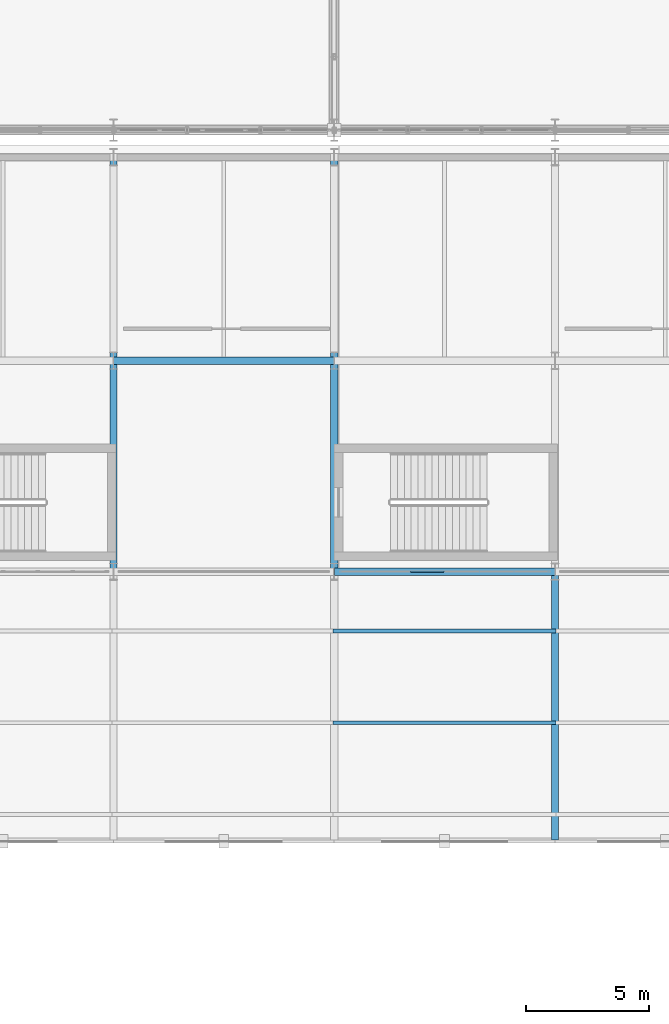
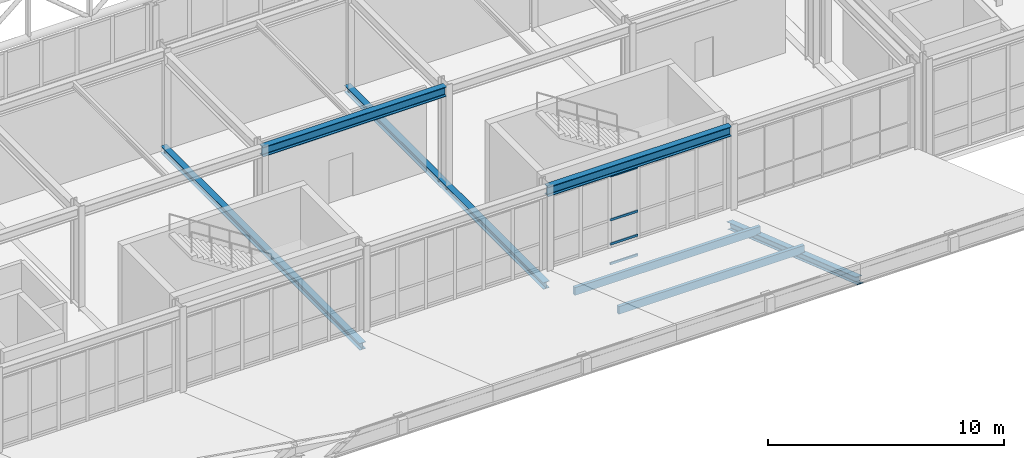
# One storey, part 59 of 239: 9 members, 2 beams, 1 element without a shape of its own.
"""IFC4 building model written with IfcOpenShell, lengths in metres."""

from ifc_helpers import new_model, si_unit, direction, frame, origin, origin_2d, place, context, subcontext, project, spatial, rectangle, hollow_rectangle, i_section, extrude, material, material_profile, profile_set, type_object, element, aggregate, save


model = new_model("IFC4")

# Units and contexts
model_context = context("Model", 3, precision=1e-05, world=origin(), true_north=direction((0.0, 1.0)))
body_context = subcontext(model_context, "Body", "Model", "MODEL_VIEW")
ifc_project = project(units=[si_unit("LENGTHUNIT", "METRE"), si_unit("AREAUNIT", "SQUARE_METRE"), si_unit("VOLUMEUNIT", "CUBIC_METRE"), si_unit("PLANEANGLEUNIT", "RADIAN"), si_unit("MASSUNIT", "GRAM", prefix="KILO")], contexts=[model_context])

# Site, building, storey
site_placement = place(None, origin())
site = spatial("IfcSite", under=ifc_project, at=site_placement, CompositionType="ELEMENT")
building_placement = place(site_placement, origin())
building = spatial("IfcBuilding", under=site, at=building_placement, Name="Kaldris Quays Convention Centre", CompositionType="ELEMENT")
storey_placement = place(building_placement, frame((0.0, 0.0, 11.39990234375)))
storey = spatial("IfcBuildingStorey", under=building, at=storey_placement, Name="L02", CompositionType="ELEMENT", Elevation=11.39990234375)

# Curtain wall, members
ifc_material_1 = material(Name="Anodized aluminium AW-6060 and triple glazing", Category="aluminium")
curtain_wall_type = type_object("IfcCurtainWallType", Name="UNITISED CURTAIN WALL CW04", PredefinedType="NOTDEFINED", material=ifc_material_1)
curtain_wall_placement = place(storey_placement, origin())
curtain_wall = element("IfcCurtainWall", 1, at=curtain_wall_placement, inside=storey, type_object=curtain_wall_type, Name="L02 Unitised Curtain Wall CW04 119", PredefinedType="NOTDEFINED")
ifc_material_2 = material(Name="Anodized aluminium AW-6060", Category="aluminium")
ifc_material_profile_1 = material_profile(ifc_material_2, hollow_rectangle(XDim=0.06005859375, YDim=0.1201171875, WallThickness=0.00390625, at=origin_2d()), Name="RHS 120x60x4")
ifc_profile_set_1 = profile_set([ifc_material_profile_1], Name="Anodized aluminium AW-6060")
member_type_1 = type_object("IfcMemberType", Name="CURTAIN TRANSOM CWT1", PredefinedType="USERDEFINED", material=ifc_profile_set_1)
member_1_placement = place(storey_placement, frame((131.11328125, 38.0, 0.030029296875), z_axis=(1.0, 0.0, 0.0), x_axis=(0.0, 1.0, 0.0)))
member_1 = element("IfcMember", 2, at=member_1_placement, type_object=member_type_1, Name="CW04 transom 3.1", ObjectType="TRANSOM", PredefinedType="USERDEFINED", context=body_context, shape_type="SweptSolid", body=[
    extrude(hollow_rectangle(XDim=0.06005859375, YDim=0.1201171875, WallThickness=0.00390625, at=origin_2d()), origin(), (0.0, 0.0, 1.0), 1.356689453125),
])
member_2_placement = place(storey_placement, frame((131.11328125, 38.0, 1.050048828125), z_axis=(1.0, 0.0, 0.0), x_axis=(0.0, 1.0, 0.0)))
member_2 = element("IfcMember", 3, at=member_2_placement, type_object=member_type_1, Name="CW04 transom 3.2", ObjectType="TRANSOM", PredefinedType="USERDEFINED", context=body_context, shape_type="SweptSolid", body=[
    extrude(hollow_rectangle(XDim=0.06005859375, YDim=0.1201171875, WallThickness=0.00390625, at=origin_2d()), origin(), (0.0, 0.0, 1.0), 1.356689453125),
])
member_3_placement = place(storey_placement, frame((131.11328125, 38.0, 2.300048828125), z_axis=(1.0, 0.0, 0.0), x_axis=(0.0, 1.0, 0.0)))
member_3 = element("IfcMember", 4, at=member_3_placement, type_object=member_type_1, Name="CW04 transom 3.3", ObjectType="TRANSOM", PredefinedType="USERDEFINED", context=body_context, shape_type="SweptSolid", body=[
    extrude(hollow_rectangle(XDim=0.06005859375, YDim=0.1201171875, WallThickness=0.00390625, at=origin_2d()), origin(), (0.0, 0.0, 1.0), 1.356689453125),
])
member_4_placement = place(storey_placement, frame((131.11328125, 38.0, 4.570068359375), z_axis=(1.0, 0.0, 0.0), x_axis=(0.0, 1.0, 0.0)))
member_4 = element("IfcMember", 5, at=member_4_placement, type_object=member_type_1, Name="CW04 transom 3.4", ObjectType="TRANSOM", PredefinedType="USERDEFINED", context=body_context, shape_type="SweptSolid", body=[
    extrude(hollow_rectangle(XDim=0.06005859375, YDim=0.1201171875, WallThickness=0.00390625, at=origin_2d()), origin(), (0.0, 0.0, 1.0), 1.356689453125),
])
aggregate(curtain_wall, [member_1, member_2, member_3, member_4])

# Beams
ifc_material_3 = material(Name="Steel S355J2", Category="steel")
ifc_material_profile_2 = material_profile(ifc_material_3, i_section(OverallWidth=0.300048828125, OverallDepth=0.5, WebThickness=0.014404296875, FlangeThickness=0.028076171875, FilletRadius=0.027099609375, at=origin_2d()), Name="HEB 500")
ifc_profile_set_2 = profile_set([ifc_material_profile_2], Name="Steel S355J2")
beam_type = type_object("IfcBeamType", Name="STRUCTURAL BEAM BM06", PredefinedType="BEAM", material=ifc_profile_set_2)
for number, where, z_axis, x_axis, name in (
    (6, (128.00244140625, 38.0, 4.9130859375), (1.0, 0.0, 0.0), (0.0, 1.0, 0.0), "L02 Girder BM06 6"),
    (7, (119.00244140625, 46.60009765625, 4.9130859375), (1.0, 0.0, 0.0), (0.0, 1.0, 0.0), "L02 Girder BM06 14"),
):
    element("IfcBeam", number, at=place(storey_placement, frame(where, z_axis=z_axis, x_axis=x_axis)), inside=storey, type_object=beam_type, Name=name, PredefinedType="BEAM", context=body_context, shape_type="SweptSolid", body=[
        extrude(i_section(OverallWidth=0.300048828125, OverallDepth=0.5, WebThickness=0.014404296875, FlangeThickness=0.028076171875, FilletRadius=0.027099609375, at=origin_2d()), origin(), (0.0, 0.0, 1.0), 8.9951171875),
    ])

# Members
ifc_material_4 = material(Name="Glulam GL28h", Category="wood")
ifc_material_profile_3 = material_profile(ifc_material_4, rectangle(XDim=0.159912109375, YDim=0.39990234375, at=origin_2d()), Name="GL 160x400")
ifc_profile_set_3 = profile_set([ifc_material_profile_3], Name="Glulam GL28h")
member_type_2 = type_object("IfcMemberType", Name="STRUCTURAL MEMBER PR01", PredefinedType="PURLIN", material=ifc_profile_set_3)
for number, where, z_axis, x_axis, name in (
    (8, (127.949951171875, 35.580078125, 1.201171875), (1.0, 0.0, 0.0), (0.0, 1.0, 0.0), "WR-SOUTH-ENTRY Glulam Wing Purlin 6"),
    (9, (127.949951171875, 31.840087890625, 2.489013671875), (1.0, 0.0, 0.0), (0.0, 1.0, 0.0), "WR-SOUTH-ENTRY Glulam Wing Purlin 6"),
):
    element("IfcMember", number, at=place(storey_placement, frame(where, z_axis=z_axis, x_axis=x_axis)), inside=storey, type_object=member_type_2, Name=name, PredefinedType="PURLIN", context=body_context, shape_type="SweptSolid", body=[
        extrude(rectangle(XDim=0.159912109375, YDim=0.39990234375, at=origin_2d()), origin(), (0.0, 0.0, 1.0), 9.10009765625),
    ])
ifc_material_profile_4 = material_profile(ifc_material_3, i_section(OverallWidth=0.300048828125, OverallDepth=0.35009765625, WebThickness=0.010009765625, FlangeThickness=0.017578125, FilletRadius=0.027099609375, at=origin_2d()), Name="HEA 360")
ifc_profile_set_4 = profile_set([ifc_material_profile_4], Name="Steel S355J2")
member_type_3 = type_object("IfcMemberType", Name="STRUCTURAL MEMBER WRF1", PredefinedType="RAFTER", material=ifc_profile_set_4)
for number, where, z_axis, x_axis, name in (
    (10, (119.0, 54.89990234375, -0.000244140625), (0.0, -1.0, 0.0), (1.0, 0.0, 0.0), "WR-SOUTH-ENTRY Wing Rafter Backspan 5"),
    (11, (128.0, 54.89990234375, -0.000244140625), (0.0, -1.0, 0.0), (1.0, 0.0, 0.0), "WR-SOUTH-ENTRY Wing Rafter Backspan 6"),
):
    element("IfcMember", number, at=place(storey_placement, frame(where, z_axis=z_axis, x_axis=x_axis)), inside=storey, type_object=member_type_3, Name=name, PredefinedType="RAFTER", context=body_context, shape_type="SweptSolid", body=[
        extrude(i_section(OverallWidth=0.300048828125, OverallDepth=0.35009765625, WebThickness=0.010009765625, FlangeThickness=0.017578125, FilletRadius=0.027099609375, at=origin_2d()), origin(), (0.0, 0.0, 1.0), 16.89990234375),
    ])
member_5_placement = place(storey_placement, frame((137.0, 38.0, -0.000244140625), z_axis=(0.0, -0.945518736739, 0.325567686474), x_axis=(1.0, 0.0, 0.0)))
element("IfcMember", 12, at=member_5_placement, inside=storey, type_object=member_type_3, Name="WR-SOUTH-ENTRY Wing Cantilever Rafter 7", PredefinedType="RAFTER", context=body_context, shape_type="SweptSolid", body=[
    extrude(i_section(OverallWidth=0.300048828125, OverallDepth=0.35009765625, WebThickness=0.010009765625, FlangeThickness=0.017578125, FilletRadius=0.027099609375, at=origin_2d()), origin(), (0.0, 0.0, 1.0), 11.6337890625),
])

save(model, "model.ifc")
